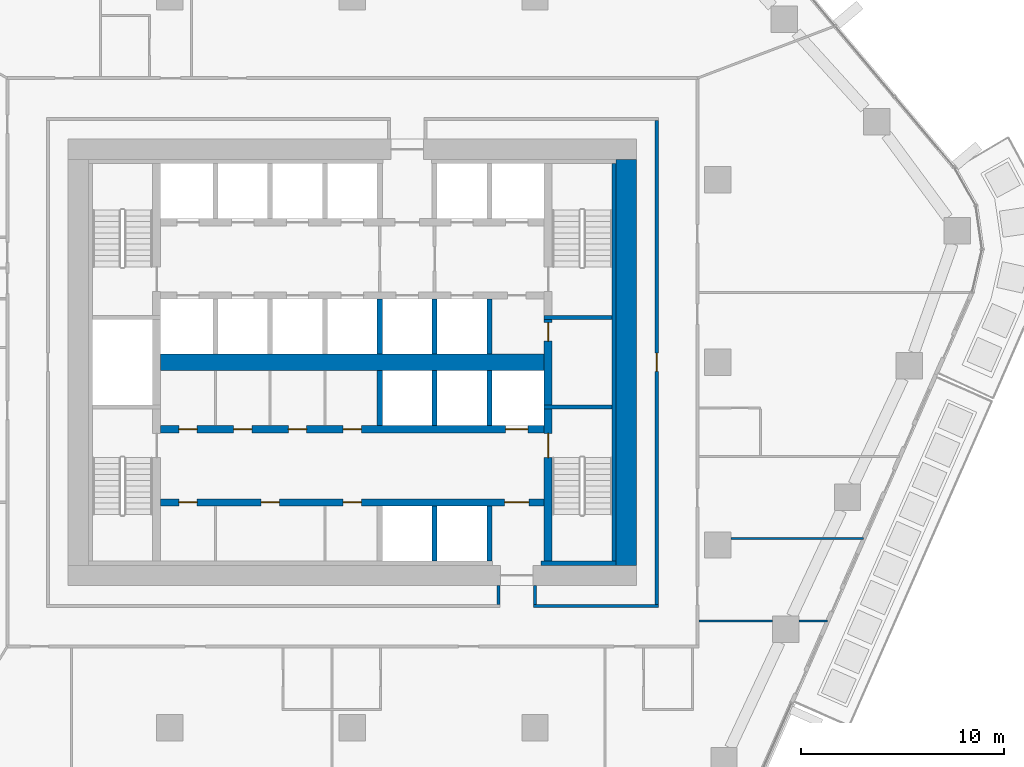
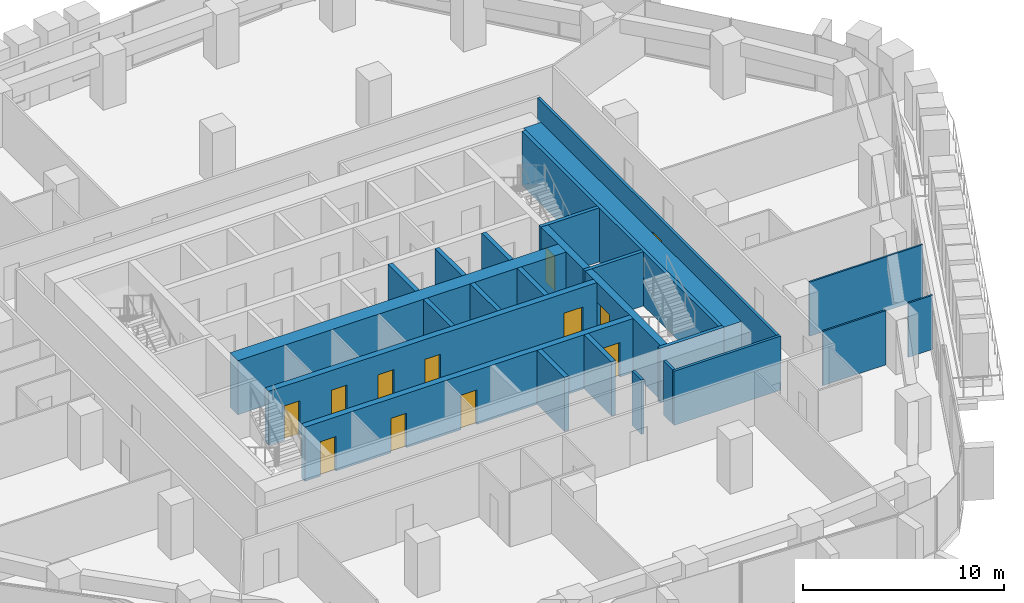
# One storey, part 13 of 23: 25 walls, 12 doors, 12 openings.
"""IFC4 building model written with IfcOpenShell, lengths in metres."""

import ifcopenshell
import ifcopenshell.guid

model = None  # the IFC model being written
_history = None  # IfcOwnerHistory: only IFC2X3 demands one
_inside = {}  # id of a spatial element -> (the spatial element, [elements in it])
_under = {}  # id of a project, library or spatial element -> (it, [spatial elements below it])
_declared = {}  # id of a project -> (the project, [libraries it declares])
_typed = {}  # id of a type object -> (the type object, [elements of that type])
_made_of = {}  # id of a material, layer set ... -> (it, [elements and type objects made of it])


def new_model(schema):
    """Start an empty IFC model of exactly this schema.

    Asked for "IFC4X3", IfcOpenShell would pick the latest addendum, in which some entities
    have other attributes; the version numbers below select the first issue.
    IFC2X3 requires an IfcOwnerHistory on every rooted entity: one is made here for all.
    """
    global model, _history
    if schema == "IFC4X3":
        model = ifcopenshell.file(schema_version=(4, 3, 0, 0))
    else:
        model = ifcopenshell.file(schema=schema)
    _inside.clear()
    _under.clear()
    _declared.clear()
    _typed.clear()
    _made_of.clear()
    _history = None
    if model.schema == "IFC2X3":
        org = make("IfcOrganization", Name="unknown")
        user = make(
            "IfcPersonAndOrganization",
            ThePerson=make("IfcPerson", FamilyName="unknown"),
            TheOrganization=org,
        )
        app = make(
            "IfcApplication",
            ApplicationDeveloper=org,
            Version="unknown",
            ApplicationFullName="unknown",
            ApplicationIdentifier="unknown",
        )
        _history = make(
            "IfcOwnerHistory",
            OwningUser=user,
            OwningApplication=app,
            ChangeAction="ADDED",
            CreationDate=0,
        )
    return model


def make(cls, **values):
    """One entity of the class cls with the attributes given. An attribute that is None is left unset."""
    return model.create_entity(
        cls, **{name: value for name, value in values.items() if value is not None}
    )


def rooted(cls, **values):
    """An entity with a GlobalId (a new one), such as an element, a storey or a relation."""
    return make(cls, GlobalId=ifcopenshell.guid.new(), OwnerHistory=_history, **values)


def si_unit(unit_type, name, prefix=None):
    """IfcSIUnit, for example si_unit("LENGTHUNIT", "METRE", prefix="MILLI")."""
    return make("IfcSIUnit", UnitType=unit_type, Prefix=prefix, Name=name)


def assignment(units):
    """IfcUnitAssignment: the units of a project."""
    return None if units is None else make("IfcUnitAssignment", Units=units)


def point(xyz):
    """IfcCartesianPoint."""
    return None if xyz is None else make("IfcCartesianPoint", Coordinates=xyz)


def direction(xyz):
    """IfcDirection."""
    return None if xyz is None else make("IfcDirection", DirectionRatios=xyz)


def frame(location, z_axis=None, x_axis=None):
    """IfcAxis2Placement3D, a coordinate frame: its origin and axes. An axis left out is left unset."""
    return make(
        "IfcAxis2Placement3D",
        Location=point(location),
        Axis=direction(z_axis),
        RefDirection=direction(x_axis),
    )


def frame_2d(location, x_axis=None):
    """IfcAxis2Placement2D, a coordinate frame in the plane: its origin and x axis."""
    return make(
        "IfcAxis2Placement2D", Location=point(location), RefDirection=direction(x_axis)
    )


def origin():
    """The frame at (0, 0, 0) with its axes left unset."""
    return frame((0.0, 0.0, 0.0))


def place(relative_to, where):
    """IfcLocalPlacement: puts the frame where relative to a parent placement (None: the world)."""
    return make(
        "IfcLocalPlacement", PlacementRelTo=relative_to, RelativePlacement=where
    )


def context(
    kind, dimensions, precision=None, world=None, true_north=None, identifier=None
):
    """IfcGeometricRepresentationContext, for example the 3D "Model" context."""
    return make(
        "IfcGeometricRepresentationContext",
        ContextIdentifier=identifier,
        ContextType=kind,
        CoordinateSpaceDimension=dimensions,
        Precision=precision,
        WorldCoordinateSystem=world,
        TrueNorth=true_north,
    )


def subcontext(parent, identifier, kind, view, scale=None):
    """IfcGeometricRepresentationSubContext, for example "Body" below "Model"."""
    return make(
        "IfcGeometricRepresentationSubContext",
        ContextIdentifier=identifier,
        ContextType=kind,
        ParentContext=parent,
        TargetScale=scale,
        TargetView=view,
    )


def project(units=None, contexts=None):
    """IfcProject with its units and contexts."""
    return rooted(
        "IfcProject",
        Name="project",
        RepresentationContexts=contexts,
        UnitsInContext=assignment(units),
    )


def spatial(cls, under=None, at=None, **own):
    """A site, building, storey or space (cls), placed at a placement, below another one or the project."""
    s = rooted(cls, ObjectPlacement=at, **own)
    if under is not None:
        _under.setdefault(under.id(), (under, []))[1].append(s)
    return s


def profile(cls, at=None, kind="AREA", **sizes):
    """A parametric profile (cls). Its sizes go by their IFC names, for example OverallWidth=200.0."""
    return make(cls, ProfileType=kind, Position=at, **sizes)


def rectangle(**sizes):
    """IfcRectangleProfileDef."""
    return profile("IfcRectangleProfileDef", **sizes)


def extrude(swept, where, along, depth):
    """IfcExtrudedAreaSolid: the profile swept, set in the frame where, extruded along a direction by depth."""
    return make(
        "IfcExtrudedAreaSolid",
        SweptArea=swept,
        Position=where,
        ExtrudedDirection=direction(along),
        Depth=depth,
    )


def shape(context_of_items, identifier, shape_type, items):
    """IfcShapeRepresentation: the items that make up one representation, for example the "Body"."""
    return make(
        "IfcShapeRepresentation",
        ContextOfItems=context_of_items,
        RepresentationIdentifier=identifier,
        RepresentationType=shape_type,
        Items=items,
    )


def material(Name=None, Category=None):
    """IfcMaterial."""
    return make("IfcMaterial", Name=Name, Category=Category)


def layer(
    of_material, thickness, ventilated=None, Name=None, Category=None, Priority=None
):
    """IfcMaterialLayer: one layer of a wall or slab, of a material (None: an air gap)."""
    return make(
        "IfcMaterialLayer",
        Material=of_material,
        LayerThickness=thickness,
        IsVentilated=ventilated,
        Name=Name,
        Category=Category,
        Priority=Priority,
    )


def layer_set(layers, Name=None):
    """IfcMaterialLayerSet."""
    return make("IfcMaterialLayerSet", MaterialLayers=layers, LayerSetName=Name)


def made_of(thing, what):
    """Note that an element or type object is made of a material, layer set ...; save() writes the relation."""
    if what is not None:
        _made_of.setdefault(what.id(), (what, []))[1].append(thing)
    return thing


def type_object(cls, material=None, **own):
    """A type object (cls), such as IfcWallType, which elements share."""
    return made_of(rooted(cls, **own), material)


def element(
    cls,
    number,
    at=None,
    inside=None,
    cuts=None,
    type_object=None,
    material=None,
    context=None,
    identifier="Body",
    shape_type=None,
    held_by="IfcProductDefinitionShape",
    body=None,
    shapes=None,
    **own,
):
    """One element of the class cls, such as IfcWall. Its Tag is "e" and its number.

    at: its placement. inside: the storey or other place that contains it. cuts: it is an
    opening in that element (IfcRelVoidsElement). A single representation is given by context,
    identifier, shape_type and body (its items); several are given by shapes. held_by: the class
    of the entity that holds the representations. save() writes the other relations.
    """
    e = rooted(cls, Tag="e%d" % number, ObjectPlacement=at, **own)
    if body is not None:
        shapes = [shape(context, identifier, shape_type, body)]
    if shapes is not None:
        e.Representation = make(held_by, Representations=shapes)
    if inside is not None:
        _inside.setdefault(inside.id(), (inside, []))[1].append(e)
    if cuts is not None:
        rooted(
            "IfcRelVoidsElement", RelatingBuildingElement=cuts, RelatedOpeningElement=e
        )
    if type_object is not None:
        _typed.setdefault(type_object.id(), (type_object, []))[1].append(e)
    return made_of(e, material)


def fill(opening, filler):
    """IfcRelFillsElement: the door or window that sits in an opening."""
    return rooted(
        "IfcRelFillsElement",
        RelatingOpeningElement=opening,
        RelatedBuildingElement=filler,
    )


def aggregate(whole, parts):
    """IfcRelAggregates: a whole, such as a stair, and the parts it consists of."""
    return rooted("IfcRelAggregates", RelatingObject=whole, RelatedObjects=parts)


def save(model, path):
    """Write the relations noted so far, then the file.

    IfcRelAggregates (storeys below a building ...), IfcRelContainedInSpatialStructure (elements
    in a storey), IfcRelDefinesByType, IfcRelAssociatesMaterial and IfcRelDeclares: one each for
    every whole, place, type object, material and project.
    """
    for whole, parts in _under.values():
        aggregate(whole, parts)
    for where, things in _inside.values():
        rooted(
            "IfcRelContainedInSpatialStructure",
            RelatedElements=things,
            RelatingStructure=where,
        )
    for kind, things in _typed.values():
        rooted("IfcRelDefinesByType", RelatedObjects=things, RelatingType=kind)
    for what, things in _made_of.values():
        rooted("IfcRelAssociatesMaterial", RelatedObjects=things, RelatingMaterial=what)
    for by, libraries in _declared.values():
        rooted("IfcRelDeclares", RelatingContext=by, RelatedDefinitions=libraries)
    model.write(path)


model = new_model("IFC4")

# Units and contexts
model_context = context("Model", 3, precision=1e-05, world=origin(), true_north=direction((0.0, 1.0)))
body_context = subcontext(model_context, "Body", "Model", "MODEL_VIEW")
ifc_project = project(units=[si_unit("LENGTHUNIT", "METRE"), si_unit("AREAUNIT", "SQUARE_METRE"), si_unit("VOLUMEUNIT", "CUBIC_METRE"), si_unit("PLANEANGLEUNIT", "RADIAN"), si_unit("MASSUNIT", "GRAM", prefix="KILO")], contexts=[model_context])

# Site, building, storey
site_placement = place(None, origin())
site = spatial("IfcSite", under=ifc_project, at=site_placement, CompositionType="ELEMENT")
building_placement = place(site_placement, origin())
building = spatial("IfcBuilding", under=site, at=building_placement, Name="Dongbaek Canopy Tower", CompositionType="ELEMENT")
storey_placement = place(building_placement, frame((0.0, 0.0, 132.199951171875)))
storey = spatial("IfcBuildingStorey", under=building, at=storey_placement, Name="L29", CompositionType="ELEMENT", Elevation=132.199951171875)

# Wall
ifc_material_1 = material(Name="Concrete C60/75", Category="concrete")
ifc_layer_1 = layer(ifc_material_1, 0.800048828125)
ifc_layer_set_1 = layer_set([ifc_layer_1], Name="Core central wall 800 Concrete C60/75")
wall_type_1 = type_object("IfcWallType", Name="Core central wall 800 Concrete C60/75", PredefinedType="SHEAR", material=ifc_layer_set_1)
wall_1_placement = place(storey_placement, frame((-9.449951171875, 0.0, 0.0), z_axis=(0.0, 0.0, 1.0), x_axis=(1.0, 0.0, 0.0)))
element("IfcWall", 1, at=wall_1_placement, inside=storey, type_object=wall_type_1, Name="Core wall", PredefinedType="SHEAR", context=body_context, shape_type="SweptSolid", body=[
    extrude(rectangle(XDim=18.89990234375, YDim=0.800048828125, at=frame_2d((9.449951171875, 0.0))), origin(), (0.0, 0.0, 1.0), 3.300048828125),
])

# Wall, openings, doors
ifc_material_2 = material(Name="Concrete C60/75", Category="concrete")
ifc_layer_2 = layer(ifc_material_2, 0.35009765625)
ifc_layer_set_2 = layer_set([ifc_layer_2], Name="Core lobby wall 350 Concrete C60/75")
wall_type_2 = type_object("IfcWallType", Name="Core lobby wall 350 Concrete C60/75", PredefinedType="SHEAR", material=ifc_layer_set_2)
wall_2_placement = place(storey_placement, frame((-9.449951171875, -3.300048828125, 0.0), z_axis=(0.0, 0.0, 1.0), x_axis=(1.0, 0.0, 0.0)))
wall_2 = element("IfcWall", 2, at=wall_2_placement, inside=storey, type_object=wall_type_2, Name="Core wall", PredefinedType="SHEAR", context=body_context, shape_type="SweptSolid", body=[
    extrude(rectangle(XDim=18.89990234375, YDim=0.35009765625, at=frame_2d((9.449951171875, 0.0))), origin(), (0.0, 0.0, 1.0), 3.300048828125),
])
opening_1_placement = place(wall_2_placement, frame((17.0, 0.0, 0.0)))
opening_1 = element("IfcOpeningElement", 3, at=opening_1_placement, cuts=wall_2, Name="Opening L29-D041", PredefinedType="OPENING", context=body_context, shape_type="SweptSolid", body=[
    extrude(rectangle(XDim=1.10009765625, YDim=2.10009765625, at=frame_2d((0.550048828125, 1.050048828125))), frame((0.0, 0.18505859375, 0.0), z_axis=(0.0, -1.0, 0.0), x_axis=(1.0, 0.0, 0.0)), (0.0, 0.0, 1.0), 0.3701171875),
])
opening_2_placement = place(wall_2_placement, frame((0.89990234375, 0.0, 0.0)))
opening_2 = element("IfcOpeningElement", 4, at=opening_2_placement, cuts=wall_2, Name="Opening L29-D044", PredefinedType="OPENING", context=body_context, shape_type="SweptSolid", body=[
    extrude(rectangle(XDim=0.89990234375, YDim=2.10009765625, at=frame_2d((0.449951171875, 1.050048828125))), frame((0.0, 0.18505859375, 0.0), z_axis=(0.0, -1.0, 0.0), x_axis=(1.0, 0.0, 0.0)), (0.0, 0.0, 1.0), 0.3701171875),
])
opening_3_placement = place(wall_2_placement, frame((3.60009765625, 0.0, 0.0)))
opening_3 = element("IfcOpeningElement", 5, at=opening_3_placement, cuts=wall_2, Name="Opening L29-D045", PredefinedType="OPENING", context=body_context, shape_type="SweptSolid", body=[
    extrude(rectangle(XDim=0.89990234375, YDim=2.10009765625, at=frame_2d((0.449951171875, 1.050048828125))), frame((0.0, 0.18505859375, 0.0), z_axis=(0.0, -1.0, 0.0), x_axis=(1.0, 0.0, 0.0)), (0.0, 0.0, 1.0), 0.3701171875),
])
opening_4_placement = place(wall_2_placement, frame((6.300048828125, 0.0, 0.0)))
opening_4 = element("IfcOpeningElement", 6, at=opening_4_placement, cuts=wall_2, Name="Opening L29-D046", PredefinedType="OPENING", context=body_context, shape_type="SweptSolid", body=[
    extrude(rectangle(XDim=0.89990234375, YDim=2.10009765625, at=frame_2d((0.449951171875, 1.050048828125))), frame((0.0, 0.18505859375, 0.0), z_axis=(0.0, -1.0, 0.0), x_axis=(1.0, 0.0, 0.0)), (0.0, 0.0, 1.0), 0.3701171875),
])
opening_5_placement = place(wall_2_placement, frame((9.0, 0.0, 0.0)))
opening_5 = element("IfcOpeningElement", 7, at=opening_5_placement, cuts=wall_2, Name="Opening L29-D047", PredefinedType="OPENING", context=body_context, shape_type="SweptSolid", body=[
    extrude(rectangle(XDim=0.89990234375, YDim=2.10009765625, at=frame_2d((0.449951171875, 1.050048828125))), frame((0.0, 0.18505859375, 0.0), z_axis=(0.0, -1.0, 0.0), x_axis=(1.0, 0.0, 0.0)), (0.0, 0.0, 1.0), 0.3701171875),
])
ifc_material_3 = material(Name="Steel", Category="steel")
door_type_1 = type_object("IfcDoorType", Name="Core room door 900 x 2100", OperationType="SINGLE_SWING_LEFT", PredefinedType="DOOR", material=ifc_material_3)
door_1_placement = place(opening_2_placement, origin())
door_1 = element("IfcDoor", 8, at=door_1_placement, inside=storey, type_object=door_type_1, Name="Door L29-D044", OperationType="SINGLE_SWING_RIGHT", OverallHeight=2.10009765625, OverallWidth=0.89990234375, PredefinedType="DOOR", context=body_context, shape_type="SweptSolid", body=[
    extrude(rectangle(XDim=0.89990234375, YDim=2.10009765625, at=frame_2d((0.449951171875, 1.050048828125))), frame((0.0, 0.02490234375, 0.0), z_axis=(0.0, -1.0, 0.0), x_axis=(1.0, 0.0, 0.0)), (0.0, 0.0, 1.0), 0.050048828125),
])
fill(opening_2, door_1)
door_2_placement = place(opening_3_placement, origin())
door_2 = element("IfcDoor", 9, at=door_2_placement, inside=storey, type_object=door_type_1, Name="Door L29-D045", OperationType="SINGLE_SWING_LEFT", OverallHeight=2.10009765625, OverallWidth=0.89990234375, PredefinedType="DOOR", context=body_context, shape_type="SweptSolid", body=[
    extrude(rectangle(XDim=0.89990234375, YDim=2.10009765625, at=frame_2d((0.449951171875, 1.050048828125))), frame((0.0, 0.02490234375, 0.0), z_axis=(0.0, -1.0, 0.0), x_axis=(1.0, 0.0, 0.0)), (0.0, 0.0, 1.0), 0.050048828125),
])
fill(opening_3, door_2)
door_3_placement = place(opening_4_placement, origin())
door_3 = element("IfcDoor", 10, at=door_3_placement, inside=storey, type_object=door_type_1, Name="Door L29-D046", OperationType="SINGLE_SWING_RIGHT", OverallHeight=2.10009765625, OverallWidth=0.89990234375, PredefinedType="DOOR", context=body_context, shape_type="SweptSolid", body=[
    extrude(rectangle(XDim=0.89990234375, YDim=2.10009765625, at=frame_2d((0.449951171875, 1.050048828125))), frame((0.0, 0.02490234375, 0.0), z_axis=(0.0, -1.0, 0.0), x_axis=(1.0, 0.0, 0.0)), (0.0, 0.0, 1.0), 0.050048828125),
])
fill(opening_4, door_3)
door_4_placement = place(opening_5_placement, origin())
door_4 = element("IfcDoor", 11, at=door_4_placement, inside=storey, type_object=door_type_1, Name="Door L29-D047", OperationType="SINGLE_SWING_LEFT", OverallHeight=2.10009765625, OverallWidth=0.89990234375, PredefinedType="DOOR", context=body_context, shape_type="SweptSolid", body=[
    extrude(rectangle(XDim=0.89990234375, YDim=2.10009765625, at=frame_2d((0.449951171875, 1.050048828125))), frame((0.0, 0.02490234375, 0.0), z_axis=(0.0, -1.0, 0.0), x_axis=(1.0, 0.0, 0.0)), (0.0, 0.0, 1.0), 0.050048828125),
])
fill(opening_5, door_4)
ifc_material_4 = material(Name="Stainless steel", Category="steel")
door_type_2 = type_object("IfcDoorType", Name="Lift landing door 1100 x 2100", OperationType="DOUBLE_DOOR_SLIDING", PredefinedType="DOOR", material=ifc_material_4)
door_5_placement = place(opening_1_placement, origin())
door_5 = element("IfcDoor", 12, at=door_5_placement, inside=storey, type_object=door_type_2, Name="Landing door SV2", OperationType="DOUBLE_DOOR_SLIDING", OverallHeight=2.10009765625, OverallWidth=1.10009765625, PredefinedType="DOOR", context=body_context, shape_type="SweptSolid", body=[
    extrude(rectangle(XDim=1.10009765625, YDim=2.10009765625, at=frame_2d((0.550048828125, 1.050048828125))), frame((0.0, 0.02490234375, 0.0), z_axis=(0.0, -1.0, 0.0), x_axis=(1.0, 0.0, 0.0)), (0.0, 0.0, 1.0), 0.050048828125),
])
fill(opening_1, door_5)

wall_3_placement = place(storey_placement, frame((9.449951171875, -6.89990234375, 0.0), z_axis=(0.0, 0.0, 1.0), x_axis=(-1.0, 0.0, 0.0)))
wall_3 = element("IfcWall", 13, at=wall_3_placement, inside=storey, type_object=wall_type_2, Name="Core wall", PredefinedType="SHEAR", context=body_context, shape_type="SweptSolid", body=[
    extrude(rectangle(XDim=18.89990234375, YDim=0.35009765625, at=frame_2d((9.449951171875, 0.0))), origin(), (0.0, 0.0, 1.0), 3.300048828125),
])
opening_6_placement = place(wall_3_placement, frame((0.75, 0.0, 0.0)))
opening_6 = element("IfcOpeningElement", 14, at=opening_6_placement, cuts=wall_3, Name="Opening L29-D043", PredefinedType="OPENING", context=body_context, shape_type="SweptSolid", body=[
    extrude(rectangle(XDim=1.199951171875, YDim=2.10009765625, at=frame_2d((0.60009765625, 1.050048828125))), frame((0.0, 0.18505859375, 0.0), z_axis=(0.0, -1.0, 0.0), x_axis=(1.0, 0.0, 0.0)), (0.0, 0.0, 1.0), 0.3701171875),
])
opening_7_placement = place(wall_3_placement, frame((17.10009765625, 0.0, 0.0)))
opening_7 = element("IfcOpeningElement", 15, at=opening_7_placement, cuts=wall_3, Name="Opening L29-D048", PredefinedType="OPENING", context=body_context, shape_type="SweptSolid", body=[
    extrude(rectangle(XDim=0.89990234375, YDim=2.10009765625, at=frame_2d((0.449951171875, 1.050048828125))), frame((0.0, 0.18505859375, 0.0), z_axis=(0.0, -1.0, 0.0), x_axis=(1.0, 0.0, 0.0)), (0.0, 0.0, 1.0), 0.3701171875),
])
opening_8_placement = place(wall_3_placement, frame((13.050048828125, 0.0, 0.0)))
opening_8 = element("IfcOpeningElement", 16, at=opening_8_placement, cuts=wall_3, Name="Opening L29-D049", PredefinedType="OPENING", context=body_context, shape_type="SweptSolid", body=[
    extrude(rectangle(XDim=0.89990234375, YDim=2.10009765625, at=frame_2d((0.449951171875, 1.050048828125))), frame((0.0, 0.18505859375, 0.0), z_axis=(0.0, -1.0, 0.0), x_axis=(1.0, 0.0, 0.0)), (0.0, 0.0, 1.0), 0.3701171875),
])
opening_9_placement = place(wall_3_placement, frame((9.0, 0.0, 0.0)))
opening_9 = element("IfcOpeningElement", 17, at=opening_9_placement, cuts=wall_3, Name="Opening L29-D050", PredefinedType="OPENING", context=body_context, shape_type="SweptSolid", body=[
    extrude(rectangle(XDim=0.89990234375, YDim=2.10009765625, at=frame_2d((0.449951171875, 1.050048828125))), frame((0.0, 0.18505859375, 0.0), z_axis=(0.0, -1.0, 0.0), x_axis=(1.0, 0.0, 0.0)), (0.0, 0.0, 1.0), 0.3701171875),
])
door_6_placement = place(opening_7_placement, origin())
door_6 = element("IfcDoor", 18, at=door_6_placement, inside=storey, type_object=door_type_1, Name="Door L29-D048", OperationType="SINGLE_SWING_RIGHT", OverallHeight=2.10009765625, OverallWidth=0.89990234375, PredefinedType="DOOR", context=body_context, shape_type="SweptSolid", body=[
    extrude(rectangle(XDim=0.89990234375, YDim=2.10009765625, at=frame_2d((0.449951171875, 1.050048828125))), frame((0.0, 0.02490234375, 0.0), z_axis=(0.0, -1.0, 0.0), x_axis=(1.0, 0.0, 0.0)), (0.0, 0.0, 1.0), 0.050048828125),
])
fill(opening_7, door_6)
door_7_placement = place(opening_8_placement, origin())
door_7 = element("IfcDoor", 19, at=door_7_placement, inside=storey, type_object=door_type_1, Name="Door L29-D049", OperationType="SINGLE_SWING_LEFT", OverallHeight=2.10009765625, OverallWidth=0.89990234375, PredefinedType="DOOR", context=body_context, shape_type="SweptSolid", body=[
    extrude(rectangle(XDim=0.89990234375, YDim=2.10009765625, at=frame_2d((0.449951171875, 1.050048828125))), frame((0.0, 0.02490234375, 0.0), z_axis=(0.0, -1.0, 0.0), x_axis=(1.0, 0.0, 0.0)), (0.0, 0.0, 1.0), 0.050048828125),
])
fill(opening_8, door_7)
door_8_placement = place(opening_9_placement, origin())
door_8 = element("IfcDoor", 20, at=door_8_placement, inside=storey, type_object=door_type_1, Name="Door L29-D050", OperationType="SINGLE_SWING_RIGHT", OverallHeight=2.10009765625, OverallWidth=0.89990234375, PredefinedType="DOOR", context=body_context, shape_type="SweptSolid", body=[
    extrude(rectangle(XDim=0.89990234375, YDim=2.10009765625, at=frame_2d((0.449951171875, 1.050048828125))), frame((0.0, 0.02490234375, 0.0), z_axis=(0.0, -1.0, 0.0), x_axis=(1.0, 0.0, 0.0)), (0.0, 0.0, 1.0), 0.050048828125),
])
fill(opening_9, door_8)
ifc_material_5 = material(Name="Steel", Category="steel")
door_type_3 = type_object("IfcDoorType", Name="Fire lobby door 1200 x 2100", OperationType="SINGLE_SWING_LEFT", PredefinedType="DOOR", material=ifc_material_5)
door_9_placement = place(opening_6_placement, origin())
door_9 = element("IfcDoor", 21, at=door_9_placement, inside=storey, type_object=door_type_3, Name="Door L29-D043", OperationType="SINGLE_SWING_LEFT", OverallHeight=2.10009765625, OverallWidth=1.199951171875, PredefinedType="DOOR", context=body_context, shape_type="SweptSolid", body=[
    extrude(rectangle(XDim=1.199951171875, YDim=2.10009765625, at=frame_2d((0.60009765625, 1.050048828125))), frame((0.0, 0.02490234375, 0.0), z_axis=(0.0, -1.0, 0.0), x_axis=(1.0, 0.0, 0.0)), (0.0, 0.0, 1.0), 0.050048828125),
])
fill(opening_6, door_9)

# Walls
ifc_material_6 = material(Name="Concrete C60/75", Category="concrete")
ifc_layer_3 = layer(ifc_material_6, 1.0)
ifc_layer_set_3 = layer_set([ifc_layer_3], Name="Core outer wall 1000 Concrete C60/75")
wall_type_3 = type_object("IfcWallType", Name="Core outer wall 1000 Concrete C60/75", PredefinedType="SHEAR", material=ifc_layer_set_3)
wall_4_placement = place(storey_placement, frame((13.5, 10.0, 0.0), z_axis=(0.0, 0.0, 1.0), x_axis=(0.0, -1.0, 0.0)))
element("IfcWall", 22, at=wall_4_placement, inside=storey, type_object=wall_type_3, Name="Core wall", PredefinedType="SHEAR", context=body_context, shape_type="SweptSolid", body=[
    extrude(rectangle(XDim=20.0, YDim=1.0, at=frame_2d((10.0, 0.0))), origin(), (0.0, 0.0, 1.0), 3.300048828125),
])
ifc_material_7 = material(Name="Concrete C60/75", Category="concrete")
ifc_layer_4 = layer(ifc_material_7, 0.199951171875)
ifc_layer_set_4 = layer_set([ifc_layer_4], Name="Core wall lining 200 Concrete C60/75")
wall_type_4 = type_object("IfcWallType", Name="Core wall lining 200 Concrete C60/75", PredefinedType="SHEAR", material=ifc_layer_set_4)
wall_5_placement = place(storey_placement, frame((13.0, -9.89990234375, 0.0), z_axis=(0.0, 0.0, 1.0), x_axis=(-1.0, 0.0, 0.0)))
element("IfcWall", 23, at=wall_5_placement, inside=storey, type_object=wall_type_4, Name="Core wall lining", PredefinedType="SHEAR", context=body_context, shape_type="SweptSolid", body=[
    extrude(rectangle(XDim=3.699951171875, YDim=0.199951171875, at=frame_2d((1.85009765625, 0.0))), origin(), (0.0, 0.0, 1.0), 3.300048828125),
])
wall_6_placement = place(storey_placement, frame((12.89990234375, 9.800048828125, 0.0), z_axis=(0.0, 0.0, 1.0), x_axis=(0.0, -1.0, 0.0)))
element("IfcWall", 24, at=wall_6_placement, inside=storey, type_object=wall_type_4, Name="Core wall lining", PredefinedType="SHEAR", context=body_context, shape_type="SweptSolid", body=[
    extrude(rectangle(XDim=19.60009765625, YDim=0.199951171875, at=frame_2d((9.800048828125, 0.0))), origin(), (0.0, 0.0, 1.0), 3.300048828125),
])
ifc_material_8 = material(Name="Gypsum board partition, steel stud, 2 x 15 mm fire board", Category="steel")
ifc_layer_5 = layer(ifc_material_8, 0.14990234375)
ifc_layer_set_5 = layer_set([ifc_layer_5], Name="Fire-rated partition 150 gypsum board")
wall_type_5 = type_object("IfcWallType", Name="Fire-rated partition 150 gypsum board", PredefinedType="PARTITIONING", material=ifc_layer_set_5)
wall_7_placement = place(storey_placement, frame((8.925048828125, -12.0, 0.0), z_axis=(0.0, 0.0, 1.0), x_axis=(1.0, 0.0, 0.0)))
element("IfcWall", 25, at=wall_7_placement, inside=storey, type_object=wall_type_5, Name="Corridor partition", PredefinedType="PARTITIONING", context=body_context, shape_type="SweptSolid", body=[
    extrude(rectangle(XDim=6.14990234375, YDim=0.14990234375, at=frame_2d((3.074951171875, 0.0))), origin(), (0.0, 0.0, 1.0), 3.300048828125),
])

# Wall, opening, door
wall_8_placement = place(storey_placement, frame((15.0, -11.925048828125, 0.0), z_axis=(0.0, 0.0, 1.0), x_axis=(0.0, 1.0, 0.0)))
wall_8 = element("IfcWall", 26, at=wall_8_placement, inside=storey, type_object=wall_type_5, Name="Corridor partition", PredefinedType="PARTITIONING", context=body_context, shape_type="SweptSolid", body=[
    extrude(rectangle(XDim=23.85009765625, YDim=0.14990234375, at=frame_2d((11.925048828125, 0.0))), origin(), (0.0, 0.0, 1.0), 3.300048828125),
])
opening_10_placement = place(wall_8_placement, frame((11.47509765625, 0.0, 0.0)))
opening_10 = element("IfcOpeningElement", 27, at=opening_10_placement, cuts=wall_8, Name="Opening L29-D024", PredefinedType="OPENING", context=body_context, shape_type="SweptSolid", body=[
    extrude(rectangle(XDim=0.89990234375, YDim=2.10009765625, at=frame_2d((0.449951171875, 1.050048828125))), frame((0.0, 0.0849609375, 0.0), z_axis=(0.0, -1.0, 0.0), x_axis=(1.0, 0.0, 0.0)), (0.0, 0.0, 1.0), 0.169921875),
])
ifc_material_9 = material(Name="Timber veneered door leaf", Category="wood")
door_type_4 = type_object("IfcDoorType", Name="Room door 900 x 2100", OperationType="SINGLE_SWING_LEFT", PredefinedType="DOOR", material=ifc_material_9)
door_10_placement = place(opening_10_placement, origin())
door_10 = element("IfcDoor", 28, at=door_10_placement, inside=storey, type_object=door_type_4, Name="Door L29-D024", OperationType="SINGLE_SWING_LEFT", OverallHeight=2.10009765625, OverallWidth=0.89990234375, PredefinedType="DOOR", context=body_context, shape_type="SweptSolid", body=[
    extrude(rectangle(XDim=0.89990234375, YDim=2.10009765625, at=frame_2d((0.449951171875, 1.050048828125))), frame((0.0, 0.02490234375, 0.0), z_axis=(0.0, -1.0, 0.0), x_axis=(1.0, 0.0, 0.0)), (0.0, 0.0, 1.0), 0.050048828125),
])
fill(opening_10, door_10)

# Walls
for number, where, z_axis, x_axis, name in (
    (29, (9.0, -11.925048828125, 0.0), (0.0, 0.0, 1.0), (0.0, 1.0, 0.0), "Corridor partition"),
    (30, (7.199951171875, -11.925048828125, 0.0), (0.0, 0.0, 1.0), (0.0, 1.0, 0.0), "Corridor partition"),
):
    element("IfcWall", number, at=place(storey_placement, frame(where, z_axis=z_axis, x_axis=x_axis)), inside=storey, type_object=wall_type_5, Name=name, PredefinedType="PARTITIONING", context=body_context, shape_type="SweptSolid", body=[
        extrude(rectangle(XDim=0.925048828125, YDim=0.14990234375, at=frame_2d((0.46240234375, 0.0))), origin(), (0.0, 0.0, 1.0), 3.300048828125),
    ])
ifc_material_10 = material(Name="Concrete C40/50", Category="concrete")
ifc_layer_6 = layer(ifc_material_10, 0.25)
ifc_layer_set_6 = layer_set([ifc_layer_6], Name="Lift shaft wall 250 Concrete C40/50")
wall_type_6 = type_object("IfcWallType", Name="Lift shaft wall 250 Concrete C40/50", PredefinedType="SOLIDWALL", material=ifc_layer_set_6)
for number, where, z_axis, x_axis, name in (
    (31, (6.75, -9.800048828125, 0.0), (0.0, 0.0, 1.0), (0.0, 1.0, 0.0), "Lift shaft wall"),
    (32, (6.75, -3.125, 0.0), (0.0, 0.0, 1.0), (0.0, 1.0, 0.0), "Lift shaft wall"),
    (33, (6.75, 0.39990234375, 0.0), (0.0, 0.0, 1.0), (0.0, 1.0, 0.0), "Lift shaft wall"),
    (34, (4.050048828125, -9.800048828125, 0.0), (0.0, 0.0, 1.0), (0.0, 1.0, 0.0), "Lift shaft wall"),
    (35, (4.050048828125, -3.125, 0.0), (0.0, 0.0, 1.0), (0.0, 1.0, 0.0), "Lift shaft wall"),
    (36, (4.050048828125, 0.39990234375, 0.0), (0.0, 0.0, 1.0), (0.0, 1.0, 0.0), "Lift shaft wall"),
    (37, (1.35009765625, -3.125, 0.0), (0.0, 0.0, 1.0), (0.0, 1.0, 0.0), "Lift shaft wall"),
    (38, (1.35009765625, 0.39990234375, 0.0), (0.0, 0.0, 1.0), (0.0, 1.0, 0.0), "Lift shaft wall"),
):
    element("IfcWall", number, at=place(storey_placement, frame(where, z_axis=z_axis, x_axis=x_axis)), inside=storey, type_object=wall_type_6, Name=name, PredefinedType="SOLIDWALL", context=body_context, shape_type="SweptSolid", body=[
        extrude(rectangle(XDim=2.72509765625, YDim=0.25, at=frame_2d((1.362548828125, 0.0))), origin(), (0.0, 0.0, 1.0), 3.300048828125),
    ])
ifc_material_11 = material(Name="Gypsum board partition, steel stud, 2 x 12.5 mm board", Category="steel")
ifc_layer_7 = layer(ifc_material_11, 0.10009765625)
ifc_layer_set_7 = layer_set([ifc_layer_7], Name="Partition 100 gypsum board")
wall_type_7 = type_object("IfcWallType", Name="Partition 100 gypsum board", PredefinedType="PARTITIONING", material=ifc_layer_set_7)
wall_9_placement = place(storey_placement, frame((17.074951171875, -12.737060546875, 0.0), z_axis=(0.0, 0.0, 1.0), x_axis=(1.0, 0.0, 0.0)))
element("IfcWall", 39, at=wall_9_placement, inside=storey, type_object=wall_type_7, Name="Partition", PredefinedType="PARTITIONING", context=body_context, shape_type="SweptSolid", body=[
    extrude(rectangle(XDim=3.631103515625, YDim=0.10009765625, at=frame_2d((1.8154296875, 0.0))), origin(), (0.0, 0.0, 1.0), 3.300048828125),
])
wall_10_placement = place(storey_placement, frame((22.006103515625, -12.737060546875, 0.0), z_axis=(0.0, 0.0, 1.0), x_axis=(1.0, 0.0, 0.0)))
element("IfcWall", 40, at=wall_10_placement, inside=storey, type_object=wall_type_7, Name="Partition", PredefinedType="PARTITIONING", context=body_context, shape_type="SweptSolid", body=[
    extrude(rectangle(XDim=1.39990234375, YDim=0.10009765625, at=frame_2d((0.699951171875, 0.0))), origin(), (0.0, 0.0, 1.0), 3.300048828125),
])
wall_11_placement = place(storey_placement, frame((18.64990234375, -8.69091796875, 0.0), z_axis=(0.0, 0.0, 1.0), x_axis=(1.0, 0.0, 0.0)))
element("IfcWall", 41, at=wall_11_placement, inside=storey, type_object=wall_type_7, Name="Partition", PredefinedType="PARTITIONING", context=body_context, shape_type="SweptSolid", body=[
    extrude(rectangle(XDim=6.533203125, YDim=0.10009765625, at=frame_2d((3.2666015625, 0.0))), origin(), (0.0, 0.0, 1.0), 3.300048828125),
])
ifc_material_12 = material(Name="Concrete C60/75", Category="concrete")
ifc_layer_8 = layer(ifc_material_12, 0.199951171875)
ifc_layer_set_8 = layer_set([ifc_layer_8], Name="Riser wall 200 Concrete C60/75")
wall_type_8 = type_object("IfcWallType", Name="Riser wall 200 Concrete C60/75", PredefinedType="SHEAR", material=ifc_layer_set_8)
for number, where, z_axis, x_axis, name in (
    (42, (9.449951171875, 2.199951171875, 0.0), (0.0, 0.0, 1.0), (1.0, 0.0, 0.0), "Riser wall"),
    (43, (9.449951171875, -2.199951171875, 0.0), (0.0, 0.0, 1.0), (1.0, 0.0, 0.0), "Riser wall"),
):
    element("IfcWall", number, at=place(storey_placement, frame(where, z_axis=z_axis, x_axis=x_axis)), inside=storey, type_object=wall_type_8, Name=name, PredefinedType="SHEAR", context=body_context, shape_type="SweptSolid", body=[
        extrude(rectangle(XDim=3.35009765625, YDim=0.199951171875, at=frame_2d((1.675048828125, 0.0))), origin(), (0.0, 0.0, 1.0), 3.300048828125),
    ])

# Wall, opening, door
ifc_material_13 = material(Name="Concrete C60/75", Category="concrete")
ifc_layer_9 = layer(ifc_material_13, 0.39990234375)
ifc_layer_set_9 = layer_set([ifc_layer_9], Name="Stair wall 400 Concrete C60/75")
wall_type_9 = type_object("IfcWallType", Name="Stair wall 400 Concrete C60/75", PredefinedType="SHEAR", material=ifc_layer_set_9)
wall_12_placement = place(storey_placement, frame((9.64990234375, -2.300048828125, 0.0), z_axis=(0.0, 0.0, 1.0), x_axis=(0.0, -1.0, 0.0)))
wall_12 = element("IfcWall", 44, at=wall_12_placement, inside=storey, type_object=wall_type_9, Name="Stair wall", PredefinedType="SHEAR", context=body_context, shape_type="SweptSolid", body=[
    extrude(rectangle(XDim=7.5, YDim=0.39990234375, at=frame_2d((3.75, 0.0))), origin(), (0.0, 0.0, 1.0), 3.300048828125),
])
opening_11_placement = place(wall_12_placement, frame((1.199951171875, 0.0, 0.0)))
opening_11 = element("IfcOpeningElement", 45, at=opening_11_placement, cuts=wall_12, Name="Opening L29-D053", PredefinedType="OPENING", context=body_context, shape_type="SweptSolid", body=[
    extrude(rectangle(XDim=1.199951171875, YDim=2.10009765625, at=frame_2d((0.60009765625, 1.050048828125))), frame((0.0, 0.2099609375, 0.0), z_axis=(0.0, -1.0, 0.0), x_axis=(1.0, 0.0, 0.0)), (0.0, 0.0, 1.0), 0.419921875),
])
ifc_material_14 = material(Name="Steel", Category="steel")
door_type_5 = type_object("IfcDoorType", Name="Stair door 1200 x 2100", OperationType="SINGLE_SWING_LEFT", PredefinedType="DOOR", material=ifc_material_14)
door_11_placement = place(opening_11_placement, origin())
door_11 = element("IfcDoor", 46, at=door_11_placement, inside=storey, type_object=door_type_5, Name="Stair B door", OperationType="SINGLE_SWING_RIGHT", OverallHeight=2.10009765625, OverallWidth=1.199951171875, PredefinedType="DOOR", context=body_context, shape_type="SweptSolid", body=[
    extrude(rectangle(XDim=1.199951171875, YDim=2.10009765625, at=frame_2d((0.60009765625, 1.050048828125))), frame((0.0, 0.02490234375, 0.0), z_axis=(0.0, -1.0, 0.0), x_axis=(1.0, 0.0, 0.0)), (0.0, 0.0, 1.0), 0.050048828125),
])
fill(opening_11, door_11)

wall_13_placement = place(storey_placement, frame((9.64990234375, 2.10009765625, 0.0), z_axis=(0.0, 0.0, 1.0), x_axis=(0.0, -1.0, 0.0)))
wall_13 = element("IfcWall", 47, at=wall_13_placement, inside=storey, type_object=wall_type_9, Name="Stair wall", PredefinedType="SHEAR", context=body_context, shape_type="SweptSolid", body=[
    extrude(rectangle(XDim=4.2001953125, YDim=0.39990234375, at=frame_2d((2.10009765625, 0.0))), origin(), (0.0, 0.0, 1.0), 3.300048828125),
])
opening_12_placement = place(wall_13_placement, frame((0.14990234375, 0.0, 0.0)))
opening_12 = element("IfcOpeningElement", 48, at=opening_12_placement, cuts=wall_13, Name="Opening L29-D025", PredefinedType="OPENING", context=body_context, shape_type="SweptSolid", body=[
    extrude(rectangle(XDim=0.89990234375, YDim=2.10009765625, at=frame_2d((0.449951171875, 1.050048828125))), frame((0.0, 0.2099609375, 0.0), z_axis=(0.0, -1.0, 0.0), x_axis=(1.0, 0.0, 0.0)), (0.0, 0.0, 1.0), 0.419921875),
])
door_12_placement = place(opening_12_placement, origin())
door_12 = element("IfcDoor", 49, at=door_12_placement, inside=storey, type_object=door_type_1, Name="Door L29-D025", OperationType="SINGLE_SWING_RIGHT", OverallHeight=2.10009765625, OverallWidth=0.89990234375, PredefinedType="DOOR", context=body_context, shape_type="SweptSolid", body=[
    extrude(rectangle(XDim=0.89990234375, YDim=2.10009765625, at=frame_2d((0.449951171875, 1.050048828125))), frame((0.0, 0.02490234375, 0.0), z_axis=(0.0, -1.0, 0.0), x_axis=(1.0, 0.0, 0.0)), (0.0, 0.0, 1.0), 0.050048828125),
])
fill(opening_12, door_12)

save(model, "model.ifc")
